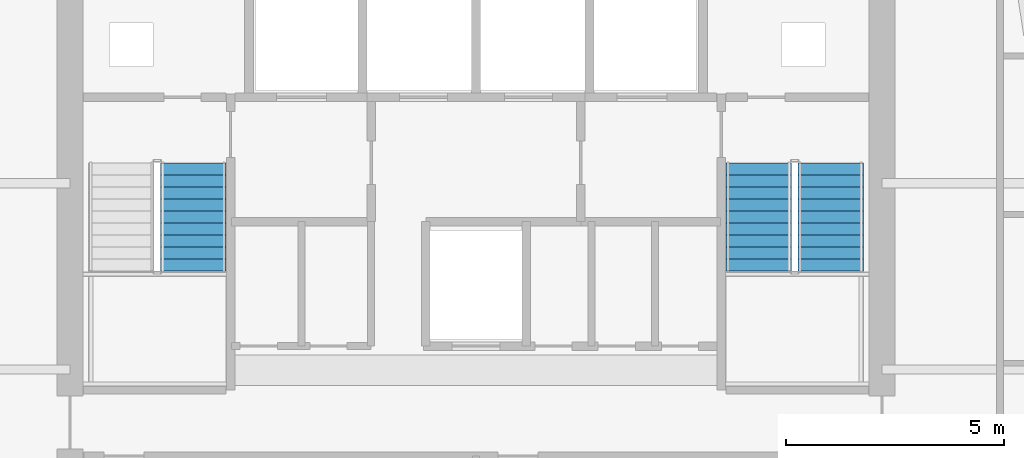
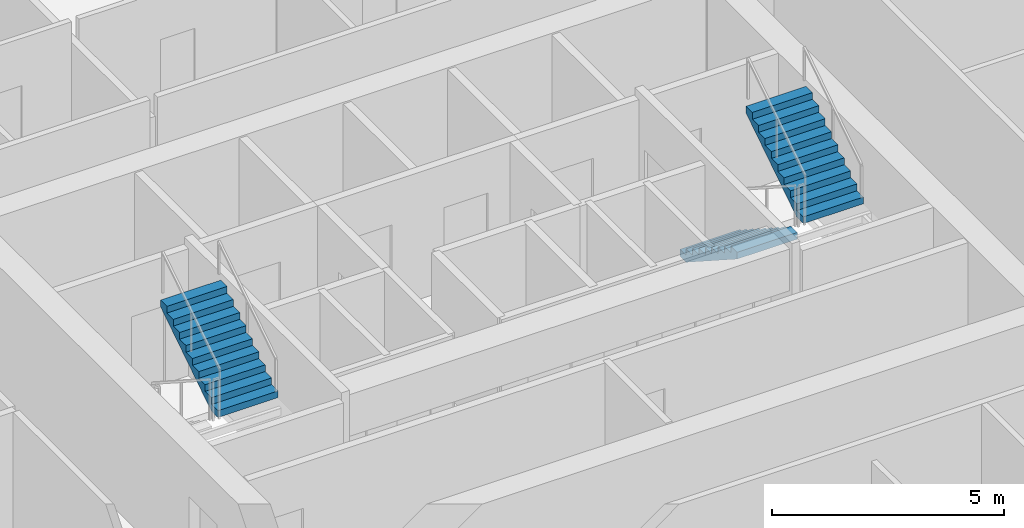
# One storey, part 8 of 12: 3 stair flights, 2 elements without a shape of their own.
"""IFC4 building model written with IfcOpenShell, lengths in metres."""

from ifc_helpers import new_model, si_unit, direction, frame, origin, place, context, subcontext, project, spatial, polyline, outline, extrude, material, type_object, element, aggregate, save


model = new_model("IFC4")

# Units and contexts
model_context = context("Model", 3, precision=1e-05, world=origin(), true_north=direction((0.0, 1.0)))
body_context = subcontext(model_context, "Body", "Model", "MODEL_VIEW")
ifc_project = project(units=[si_unit("LENGTHUNIT", "METRE"), si_unit("AREAUNIT", "SQUARE_METRE"), si_unit("VOLUMEUNIT", "CUBIC_METRE"), si_unit("PLANEANGLEUNIT", "RADIAN"), si_unit("MASSUNIT", "GRAM", prefix="KILO")], contexts=[model_context])

# Site, building, storey
site_placement = place(None, origin())
site = spatial("IfcSite", under=ifc_project, at=site_placement, CompositionType="ELEMENT")
building_placement = place(site_placement, origin())
building = spatial("IfcBuilding", under=site, at=building_placement, Name="Cinnabar Lancet Tower", CompositionType="ELEMENT")
storey_placement = place(building_placement, frame((0.0, 0.0, 193.199951171875)))
storey = spatial("IfcBuildingStorey", under=building, at=storey_placement, Name="L51", CompositionType="ELEMENT", Elevation=193.199951171875)

# Stair, stair flight
ifc_material_1 = material(Name="Concrete C40/50", Category="concrete")
stair_type = type_object("IfcStairType", Name="ST-CORE", PredefinedType="HALF_TURN_STAIR", material=ifc_material_1)
stair_1_placement = place(storey_placement, origin())
stair_1 = element("IfcStair", 1, at=stair_1_placement, inside=storey, type_object=stair_type, Name="L51 ST-1", PredefinedType="HALF_TURN_STAIR")
ifc_material_2 = material(Name="Concrete C40/50", Category="concrete")
stair_flight_type = type_object("IfcStairFlightType", Name="FLIGHT-CORE", PredefinedType="STRAIGHT", material=ifc_material_2)
stair_flight_1_placement = place(storey_placement, frame((25.925048828125, 25.925048828125, 1.775146484375), z_axis=(0.0, 0.0, 1.0), x_axis=(0.0, 1.0, 0.0)))
stair_flight_1 = element("IfcStairFlight", 2, at=stair_flight_1_placement, type_object=stair_flight_type, Name="ST-1 flight 2", NumberOfRisers=10, NumberOfTreads=9, PredefinedType="STRAIGHT", RiserHeight=0.1775, TreadLength=0.275, context=body_context, shape_type="SweptSolid", body=[
    extrude(outline(polyline([(0.0, 0.0), (0.0, 0.177490234375), (0.27490234375, 0.177490234375), (0.27490234375, 0.35498046875), (0.550048828125, 0.35498046875), (0.550048828125, 0.532470703125), (0.824951171875, 0.532470703125), (0.824951171875, 0.7099609375), (1.10009765625, 0.7099609375), (1.10009765625, 0.887451171875), (1.375, 0.887451171875), (1.375, 1.06494140625), (1.64990234375, 1.06494140625), (1.64990234375, 1.242431640625), (1.925048828125, 1.242431640625), (1.925048828125, 1.419921875), (2.199951171875, 1.419921875), (2.199951171875, 1.597412109375), (2.47509765625, 1.597412109375), (2.47509765625, 1.77490234375), (2.47509765625, 1.419189453125), (0.2763671875, 0.0), (0.0, 0.0)])), frame((0.0, 0.75, 0.0), z_axis=(0.0, -1.0, 0.0), x_axis=(1.0, 0.0, 0.0)), (0.0, 0.0, 1.0), 1.5),
])
aggregate(stair_1, [stair_flight_1])

# Stair, stair flights
stair_2_placement = place(storey_placement, origin())
stair_2 = element("IfcStair", 3, at=stair_2_placement, inside=storey, type_object=stair_type, Name="L51 ST-2", PredefinedType="HALF_TURN_STAIR")
stair_flight_2_placement = place(storey_placement, frame((38.875, 28.39990234375, 0.0), z_axis=(0.0, 0.0, 1.0), x_axis=(0.0, -1.0, 0.0)))
stair_flight_2 = element("IfcStairFlight", 4, at=stair_flight_2_placement, type_object=stair_flight_type, Name="ST-2 flight 1", NumberOfRisers=10, NumberOfTreads=9, PredefinedType="STRAIGHT", RiserHeight=0.1775, TreadLength=0.275, context=body_context, shape_type="SweptSolid", body=[
    extrude(outline(polyline([(0.0, 0.0), (0.0, 0.177490234375), (0.27490234375, 0.177490234375), (0.27490234375, 0.35498046875), (0.550048828125, 0.35498046875), (0.550048828125, 0.532470703125), (0.824951171875, 0.532470703125), (0.824951171875, 0.7099609375), (1.10009765625, 0.7099609375), (1.10009765625, 0.887451171875), (1.375, 0.887451171875), (1.375, 1.06494140625), (1.64990234375, 1.06494140625), (1.64990234375, 1.242431640625), (1.925048828125, 1.242431640625), (1.925048828125, 1.419921875), (2.199951171875, 1.419921875), (2.199951171875, 1.597412109375), (2.47509765625, 1.597412109375), (2.47509765625, 1.77490234375), (2.47509765625, 1.419189453125), (0.2763671875, 0.0), (0.0, 0.0)])), frame((0.0, 0.75, 0.0), z_axis=(0.0, -1.0, 0.0), x_axis=(1.0, 0.0, 0.0)), (0.0, 0.0, 1.0), 1.5),
])
stair_flight_3_placement = place(storey_placement, frame((40.52490234375, 25.925048828125, 1.775146484375), z_axis=(0.0, 0.0, 1.0), x_axis=(0.0, 1.0, 0.0)))
stair_flight_3 = element("IfcStairFlight", 5, at=stair_flight_3_placement, type_object=stair_flight_type, Name="ST-2 flight 2", NumberOfRisers=10, NumberOfTreads=9, PredefinedType="STRAIGHT", RiserHeight=0.1775, TreadLength=0.275, context=body_context, shape_type="SweptSolid", body=[
    extrude(outline(polyline([(0.0, 0.0), (0.0, 0.177490234375), (0.27490234375, 0.177490234375), (0.27490234375, 0.35498046875), (0.550048828125, 0.35498046875), (0.550048828125, 0.532470703125), (0.824951171875, 0.532470703125), (0.824951171875, 0.7099609375), (1.10009765625, 0.7099609375), (1.10009765625, 0.887451171875), (1.375, 0.887451171875), (1.375, 1.06494140625), (1.64990234375, 1.06494140625), (1.64990234375, 1.242431640625), (1.925048828125, 1.242431640625), (1.925048828125, 1.419921875), (2.199951171875, 1.419921875), (2.199951171875, 1.597412109375), (2.47509765625, 1.597412109375), (2.47509765625, 1.77490234375), (2.47509765625, 1.419189453125), (0.2763671875, 0.0), (0.0, 0.0)])), frame((0.0, 0.75, 0.0), z_axis=(0.0, -1.0, 0.0), x_axis=(1.0, 0.0, 0.0)), (0.0, 0.0, 1.0), 1.5),
])
aggregate(stair_2, [stair_flight_2, stair_flight_3])

save(model, "model.ifc")
